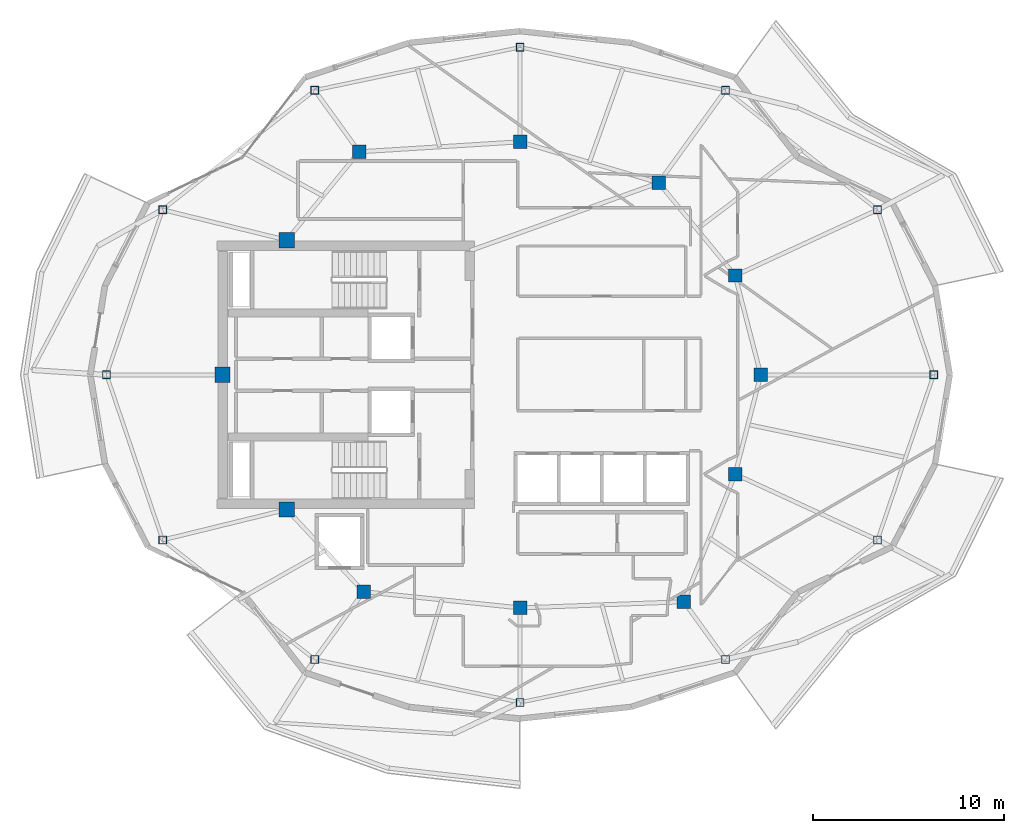
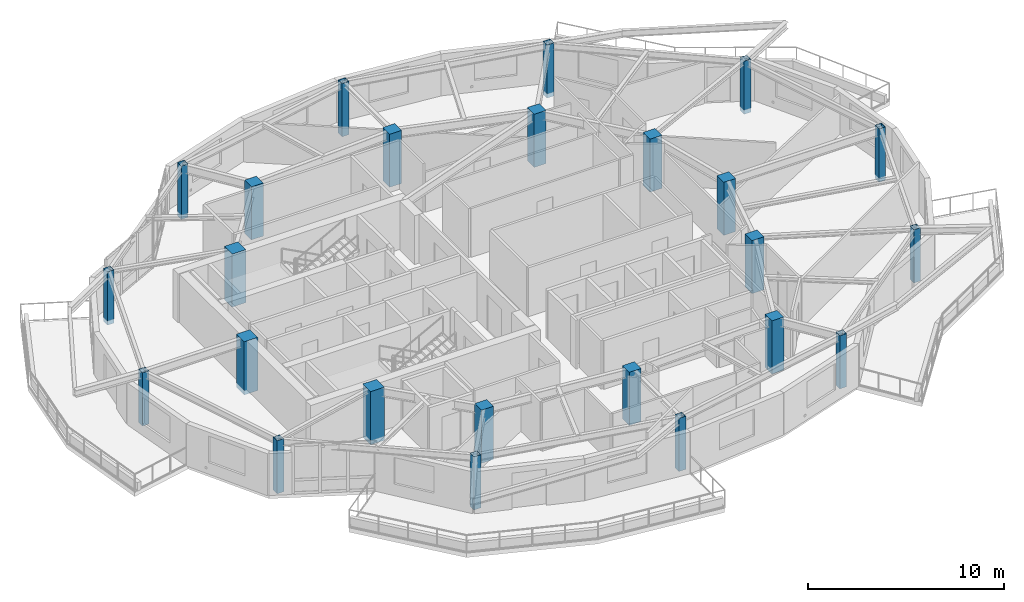
# One storey, part 1 of 14: 24 columns.
"""IFC4 building model written with IfcOpenShell, lengths in metres."""

from ifc_helpers import new_model, si_unit, direction, frame, origin, origin_2d, place, context, subcontext, project, spatial, rectangle, hollow_rectangle, extrude, material, material_profile, profile_set, type_object, element, save


model = new_model("IFC4")

# Units and contexts
model_context = context("Model", 3, precision=1e-05, world=origin(), true_north=direction((0.0, 1.0)))
body_context = subcontext(model_context, "Body", "Model", "MODEL_VIEW")
ifc_project = project(units=[si_unit("LENGTHUNIT", "METRE"), si_unit("AREAUNIT", "SQUARE_METRE"), si_unit("VOLUMEUNIT", "CUBIC_METRE"), si_unit("PLANEANGLEUNIT", "RADIAN"), si_unit("MASSUNIT", "GRAM", prefix="KILO")], contexts=[model_context])

# Site, building, storey
site_placement = place(None, origin())
site = spatial("IfcSite", under=ifc_project, at=site_placement, CompositionType="ELEMENT")
building_placement = place(site_placement, origin())
building = spatial("IfcBuilding", under=site, at=building_placement, Name="Kolvaren Gate Tower and Convention Centre", CompositionType="ELEMENT")
storey_placement = place(building_placement, frame((0.0, 0.0, 252.5)))
storey = spatial("IfcBuildingStorey", under=building, at=storey_placement, Name="L68", CompositionType="ELEMENT", Elevation=252.5)

# Columns
ifc_material_1 = material(Name="Structural steel ASTM A500 Grade C 345 MPa", Category="steel")
ifc_material_profile_1 = material_profile(ifc_material_1, hollow_rectangle(XDim=0.406005859375, YDim=0.406005859375, WallThickness=0.015869140625, at=origin_2d()), Name="HSS406X406X15.9")
ifc_profile_set_1 = profile_set([ifc_material_profile_1], Name="Structural steel ASTM A500 Grade C 345 MPa")
column_type_1 = type_object("IfcColumnType", Name="STR-COL-HSS406", PredefinedType="COLUMN", material=ifc_profile_set_1)
for number, where, z_axis, x_axis, name in (
    (1, (51.77490234375, 27.0, -0.27001953125), (0.0, 0.0, 1.0), (1.0, 0.0, 0.0), "Tower L68 Perimeter Supercolumn TP-01"),
    (2, (48.8388671875, 35.6435546875, -0.27001953125), (0.0, 0.0, 1.0), (1.0, 0.0, 0.0), "Tower L68 Perimeter Supercolumn TP-02"),
    (3, (40.877685546875, 41.899169921875, -0.27001953125), (0.0, 0.0, 1.0), (1.0, 0.0, 0.0), "Tower L68 Perimeter Supercolumn TP-03"),
    (4, (30.125, 44.14990234375, -0.27001953125), (0.0, 0.0, 1.0), (1.0, 0.0, 0.0), "Tower L68 Perimeter Supercolumn TP-04"),
    (5, (19.372314453125, 41.899169921875, -0.27001953125), (0.0, 0.0, 1.0), (1.0, 0.0, 0.0), "Tower L68 Perimeter Supercolumn TP-05"),
    (6, (11.4111328125, 35.6435546875, -0.27001953125), (0.0, 0.0, 1.0), (1.0, 0.0, 0.0), "Tower L68 Perimeter Supercolumn TP-06"),
    (7, (8.47509765625, 27.0, -0.27001953125), (0.0, 0.0, 1.0), (1.0, 0.0, 0.0), "Tower L68 Perimeter Supercolumn TP-07"),
    (8, (11.4111328125, 18.3564453125, -0.27001953125), (0.0, 0.0, 1.0), (1.0, 0.0, 0.0), "Tower L68 Perimeter Supercolumn TP-08"),
    (9, (19.372314453125, 12.100830078125, -0.27001953125), (0.0, 0.0, 1.0), (1.0, 0.0, 0.0), "Tower L68 Perimeter Supercolumn TP-09"),
    (10, (30.125, 9.85009765625, -0.27001953125), (0.0, 0.0, 1.0), (1.0, 0.0, 0.0), "Tower L68 Perimeter Supercolumn TP-10"),
    (11, (40.877685546875, 12.100830078125, -0.27001953125), (0.0, 0.0, 1.0), (1.0, 0.0, 0.0), "Tower L68 Perimeter Supercolumn TP-11"),
    (12, (48.8388671875, 18.3564453125, -0.27001953125), (0.0, 0.0, 1.0), (1.0, 0.0, 0.0), "Tower L68 Perimeter Supercolumn TP-12"),
):
    element("IfcColumn", number, at=place(storey_placement, frame(where, z_axis=z_axis, x_axis=x_axis)), inside=storey, type_object=column_type_1, Name=name, PredefinedType="COLUMN", context=body_context, shape_type="SweptSolid", body=[
        extrude(hollow_rectangle(XDim=0.406005859375, YDim=0.406005859375, WallThickness=0.015869140625, at=origin_2d()), origin(), (0.0, 0.0, 1.0), 3.300048828125),
    ])
ifc_material_2 = material(Name="Concrete C50/60", Category="concrete")
ifc_material_profile_2 = material_profile(ifc_material_2, rectangle(XDim=0.699951171875, YDim=0.699951171875, at=origin_2d()), Name="RC-COL-700X700")
ifc_profile_set_2 = profile_set([ifc_material_profile_2], Name="Concrete C50/60")
column_type_2 = type_object("IfcColumnType", Name="STR-COL-RC700", PredefinedType="COLUMN", material=ifc_profile_set_2)
for number, where, z_axis, x_axis, name in (
    (13, (42.72509765625, 27.0, -0.27001953125), (0.0, 0.0, 1.0), (1.0, 0.0, 0.0), "Tower L68 Interior Column TI-01"),
    (14, (41.382080078125, 32.199462890625, -0.27001953125), (0.0, 0.0, 1.0), (1.0, 0.0, 0.0), "Tower L68 Interior Column TI-02"),
    (15, (37.381591796875, 37.054931640625, -0.27001953125), (0.0, 0.0, 1.0), (1.0, 0.0, 0.0), "Tower L68 Interior Column TI-03"),
    (16, (30.125, 39.199951171875, -0.27001953125), (0.0, 0.0, 1.0), (1.0, 0.0, 0.0), "Tower L68 Interior Column TI-04"),
    (17, (21.697998046875, 38.6767578125, -0.27001953125), (0.0, 0.0, 1.0), (1.0, 0.0, 0.0), "Tower L68 Interior Column TI-05"),
    (18, (21.93212890625, 15.647705078125, -0.27001953125), (0.0, 0.0, 1.0), (1.0, 0.0, 0.0), "Tower L68 Interior Column TI-06"),
    (19, (30.125, 14.800048828125, -0.27001953125), (0.0, 0.0, 1.0), (1.0, 0.0, 0.0), "Tower L68 Interior Column TI-07"),
    (20, (38.6982421875, 15.12060546875, -0.27001953125), (0.0, 0.0, 1.0), (1.0, 0.0, 0.0), "Tower L68 Interior Column TI-08"),
    (21, (41.382080078125, 21.800537109375, -0.27001953125), (0.0, 0.0, 1.0), (1.0, 0.0, 0.0), "Tower L68 Interior Column TI-09"),
):
    element("IfcColumn", number, at=place(storey_placement, frame(where, z_axis=z_axis, x_axis=x_axis)), inside=storey, type_object=column_type_2, Name=name, PredefinedType="COLUMN", context=body_context, shape_type="SweptSolid", body=[
        extrude(rectangle(XDim=0.699951171875, YDim=0.699951171875, at=origin_2d()), origin(), (0.0, 0.0, 1.0), 3.300048828125),
    ])
ifc_material_3 = material(Name="Concrete C60/75", Category="concrete")
ifc_material_profile_3 = material_profile(ifc_material_3, rectangle(XDim=0.800048828125, YDim=0.800048828125, at=origin_2d()), Name="RC-COL-800X800")
ifc_profile_set_3 = profile_set([ifc_material_profile_3], Name="Concrete C60/75")
column_type_3 = type_object("IfcColumnType", Name="STR-PIL-RC800", PredefinedType="PILASTER", material=ifc_profile_set_3)
for number, where, z_axis, x_axis, name in (
    (22, (17.9140625, 34.050048828125, -0.27001953125), (0.0, 0.0, 1.0), (1.0, 0.0, 0.0), "Tower L68 Core Boundary Pilaster TC-05"),
    (23, (14.550048828125, 27.0, -0.27001953125), (0.0, 0.0, 1.0), (1.0, 0.0, 0.0), "Tower L68 Core Boundary Pilaster TC-06"),
    (24, (17.9140625, 19.949951171875, -0.27001953125), (0.0, 0.0, 1.0), (1.0, 0.0, 0.0), "Tower L68 Core Boundary Pilaster TC-07"),
):
    element("IfcColumn", number, at=place(storey_placement, frame(where, z_axis=z_axis, x_axis=x_axis)), inside=storey, type_object=column_type_3, Name=name, PredefinedType="PILASTER", context=body_context, shape_type="SweptSolid", body=[
        extrude(rectangle(XDim=0.800048828125, YDim=0.800048828125, at=origin_2d()), origin(), (0.0, 0.0, 1.0), 3.300048828125),
    ])

save(model, "model.ifc")
